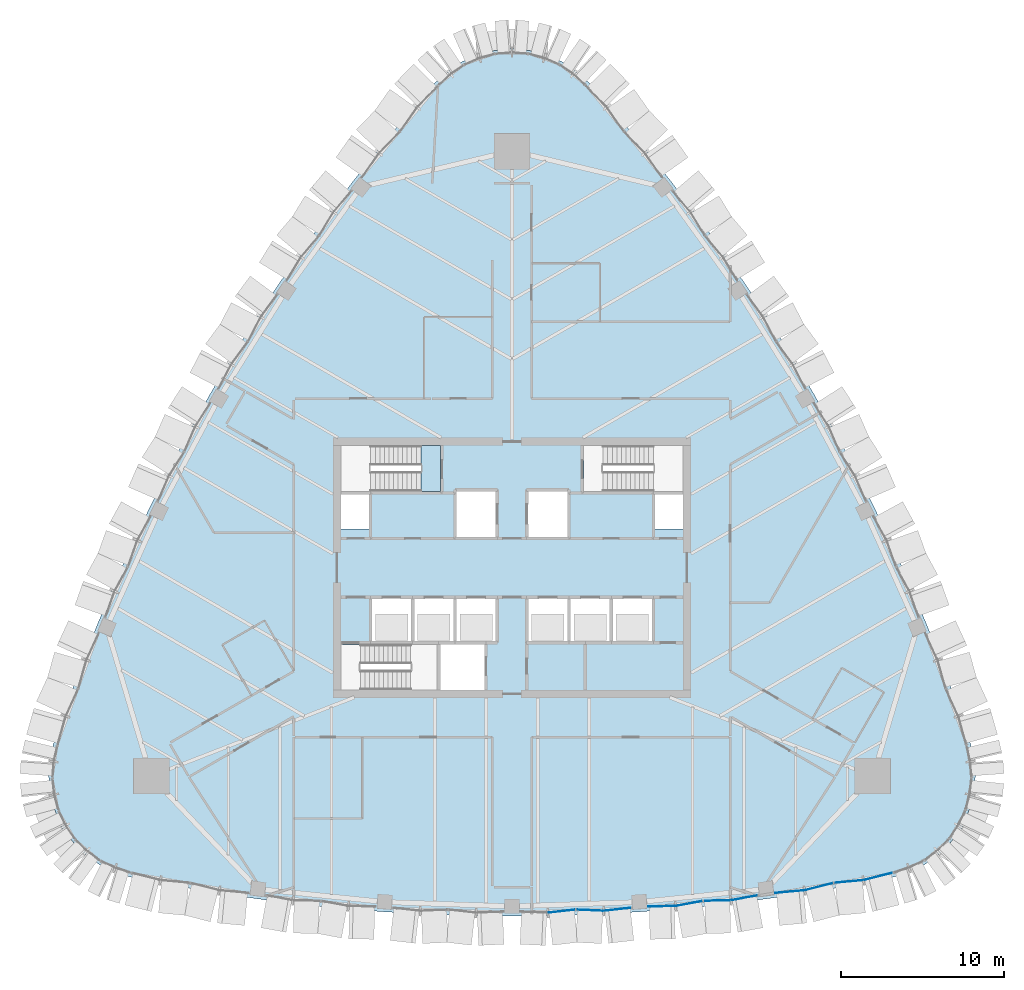
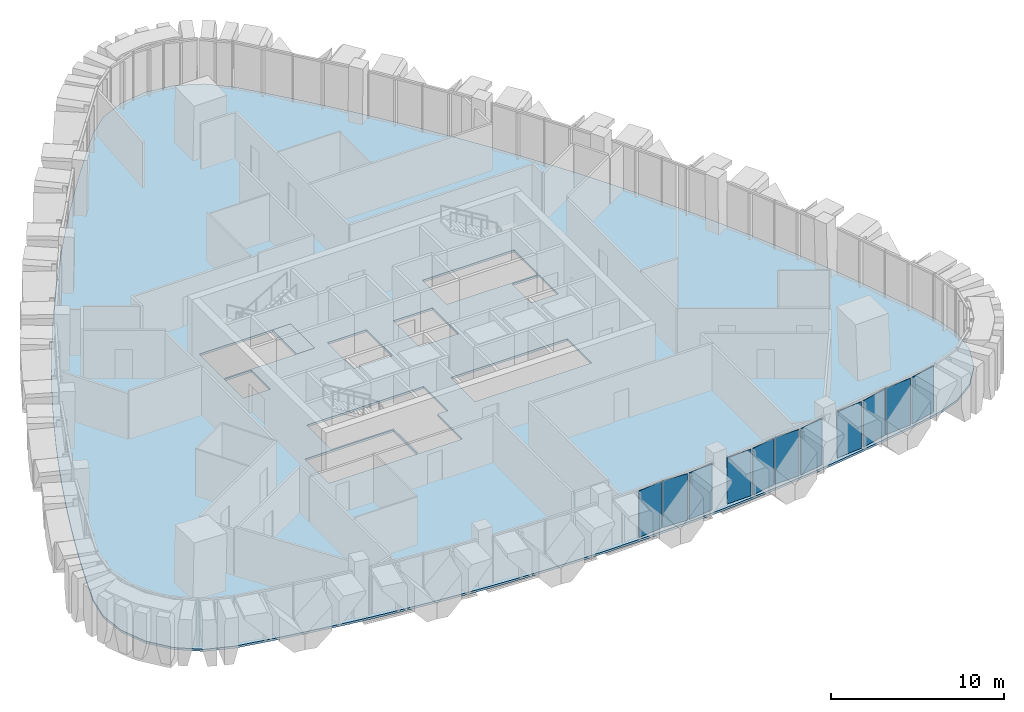
# One storey, part 9 of 19: 11 plates, 2 slabs, 3 elements without a shape of their own.
"""IFC4 building model written with IfcOpenShell, lengths in metres."""

from ifc_helpers import new_model, si_unit, direction, frame, origin, place, context, subcontext, project, spatial, polyline, outline, extrude, material, layer, layer_set, type_object, element, aggregate, save


model = new_model("IFC4")

# Units and contexts
model_context = context("Model", 3, precision=1e-05, world=origin(), true_north=direction((0.0, 1.0)))
body_context = subcontext(model_context, "Body", "Model", "MODEL_VIEW")
ifc_project = project(units=[si_unit("LENGTHUNIT", "METRE"), si_unit("AREAUNIT", "SQUARE_METRE"), si_unit("VOLUMEUNIT", "CUBIC_METRE"), si_unit("PLANEANGLEUNIT", "RADIAN"), si_unit("MASSUNIT", "GRAM", prefix="KILO")], contexts=[model_context])

# Site, building, storey
site_placement = place(None, origin())
site = spatial("IfcSite", under=ifc_project, at=site_placement, CompositionType="ELEMENT")
building_placement = place(site_placement, origin())
building = spatial("IfcBuilding", under=site, at=building_placement, Name="Sierra Prisma Convention Tower", CompositionType="ELEMENT")
storey_placement = place(building_placement, frame((0.0, 0.0, 235.0)))
storey = spatial("IfcBuildingStorey", under=building, at=storey_placement, Name="L52", CompositionType="ELEMENT", Elevation=235.0)

# Curtain wall, plates
ifc_material_1 = material(Name="Aluminium and glass curtain wall", Category="aluminium")
ifc_layer_1 = layer(ifc_material_1, 0.179931640625)
ifc_layer_set_1 = layer_set([ifc_layer_1], Name="CW-2 Faceted crystal curtain wall")
curtain_wall_type = type_object("IfcCurtainWallType", Name="CW-2 Faceted crystal curtain wall", PredefinedType="NOTDEFINED", material=ifc_layer_set_1)
curtain_wall_1_placement = place(storey_placement, origin())
curtain_wall_1 = element("IfcCurtainWall", 1, at=curtain_wall_1_placement, inside=storey, type_object=curtain_wall_type, Name="CW-2 S4 L52", PredefinedType="NOTDEFINED")
ifc_material_2 = material(Name="Tinted glass bronze-grey IGU", Category="glass")
ifc_layer_2 = layer(ifc_material_2, 0.028076171875)
ifc_layer_set_2 = layer_set([ifc_layer_2], Name="CW-2 crystal pane")
plate_type = type_object("IfcPlateType", Name="CW-2 crystal pane", PredefinedType="CURTAIN_PANEL", material=ifc_layer_set_2)
plate_1_placement = place(storey_placement, frame((3.88525390625, -21.0146484375, 0.0), z_axis=(0.112461006471, -0.993656138724, 0.0), x_axis=(-0.993656138724, -0.112461006471, 0.0)))
plate_1 = element("IfcPlate", 2, at=plate_1_placement, type_object=plate_type, Name="CW-2 pane S4.1.2", PredefinedType="CURTAIN_PANEL", context=body_context, shape_type="SweptSolid", body=[
    extrude(outline(polyline([(0.0, 0.0), (1.6238267220864326, 0.0), (1.6238267220864326, -3.280029296875), (0.0, -3.280029296875), (0.0, 0.0)])), origin(), (0.0, 0.0, -1.0), 0.028076171875),
])
plate_2_placement = place(storey_placement, frame((3.955322265625, -21.01220703125, 0.0), z_axis=(-0.044500642482, -0.999009355721, 0.0), x_axis=(0.999009355721, -0.044500642482, 0.0)))
plate_2 = element("IfcPlate", 3, at=plate_2_placement, type_object=plate_type, Name="CW-2 pane S4.2.1", PredefinedType="CURTAIN_PANEL", context=body_context, shape_type="SweptSolid", body=[
    extrude(outline(polyline([(0.0, 0.0), (1.6239231833356247, 0.0), (1.6239231833356247, 3.280029296875), (0.0, 3.280029296875), (0.0, 0.0)])), origin(), (0.0, 0.0, -1.0), 0.028076171875),
])
plate_3_placement = place(storey_placement, frame((7.32080078125, -20.8974609375, 0.0), z_axis=(0.112461006471, -0.993656138724, 0.0), x_axis=(-0.993656138724, -0.112461006471, 0.0)))
plate_3 = element("IfcPlate", 4, at=plate_3_placement, type_object=plate_type, Name="CW-2 pane S4.2.2", PredefinedType="CURTAIN_PANEL", context=body_context, shape_type="SweptSolid", body=[
    extrude(outline(polyline([(0.0, 0.0), (1.6238267220864326, 0.0), (1.6238267220864326, -3.280029296875), (0.0, -3.280029296875), (0.0, 0.0)])), origin(), (0.0, 0.0, -1.0), 0.028076171875),
])
aggregate(curtain_wall_1, [plate_1, plate_2, plate_3])

curtain_wall_2_placement = place(storey_placement, origin())
curtain_wall_2 = element("IfcCurtainWall", 5, at=curtain_wall_2_placement, inside=storey, type_object=curtain_wall_type, Name="CW-2 S5 L52", PredefinedType="NOTDEFINED")
plate_4_placement = place(storey_placement, frame((8.3701171875, -20.826171875, 0.0), z_axis=(0.023720088611, -0.999718639116, 0.0), x_axis=(0.999718639116, 0.023720088611, 0.0)))
plate_4 = element("IfcPlate", 6, at=plate_4_placement, type_object=plate_type, Name="CW-2 pane S5.1.1", PredefinedType="CURTAIN_PANEL", context=body_context, shape_type="SweptSolid", body=[
    extrude(outline(polyline([(0.0, 0.0), (1.6159331760116264, 0.0), (1.6159331760116264, 3.280029296875), (0.0, 3.280029296875), (0.0, 0.0)])), origin(), (0.0, 0.0, -1.0), 0.028076171875),
])
plate_5_placement = place(storey_placement, frame((11.704345703125, -20.48388671875, 0.0), z_axis=(0.179935640699, -0.983678385046, 0.0), x_axis=(-0.983678385046, -0.179935640699, 0.0)))
plate_5 = element("IfcPlate", 7, at=plate_5_placement, type_object=plate_type, Name="CW-2 pane S5.1.2", PredefinedType="CURTAIN_PANEL", context=body_context, shape_type="SweptSolid", body=[
    extrude(outline(polyline([(0.0, 0.0), (1.6159749299573907, 0.0), (1.6159749299573907, -3.280029296875), (0.0, -3.280029296875), (0.0, 0.0)])), origin(), (0.0, 0.0, -1.0), 0.028076171875),
])
plate_6_placement = place(storey_placement, frame((11.77392578125, -20.476806640625, 0.0), z_axis=(0.023720088611, -0.999718639116, 0.0), x_axis=(0.999718639116, 0.023720088611, 0.0)))
plate_6 = element("IfcPlate", 8, at=plate_6_placement, type_object=plate_type, Name="CW-2 pane S5.2.1", PredefinedType="CURTAIN_PANEL", context=body_context, shape_type="SweptSolid", body=[
    extrude(outline(polyline([(0.0, 0.0), (1.6159331760116264, 0.0), (1.6159331760116264, 3.280029296875), (0.0, 3.280029296875), (0.0, 0.0)])), origin(), (0.0, 0.0, -1.0), 0.028076171875),
])
plate_7_placement = place(storey_placement, frame((15.108154296875, -20.134521484375, 0.0), z_axis=(0.179908903722, -0.98368327543, 0.0), x_axis=(-0.98368327543, -0.179908903722, 0.0)))
plate_7 = element("IfcPlate", 9, at=plate_7_placement, type_object=plate_type, Name="CW-2 pane S5.2.2", PredefinedType="CURTAIN_PANEL", context=body_context, shape_type="SweptSolid", body=[
    extrude(outline(polyline([(0.0, 0.0), (1.61621508641013, 0.0), (1.61621508641013, -3.280029296875), (0.0, -3.280029296875), (0.0, 0.0)])), origin(), (0.0, 0.0, -1.0), 0.028076171875),
])
aggregate(curtain_wall_2, [plate_4, plate_5, plate_6, plate_7])

curtain_wall_3_placement = place(storey_placement, origin())
curtain_wall_3 = element("IfcCurtainWall", 10, at=curtain_wall_3_placement, inside=storey, type_object=curtain_wall_type, Name="CW-2 S6 L52", PredefinedType="NOTDEFINED")
plate_8_placement = place(storey_placement, frame((16.181640625, -19.98876953125, 0.0), z_axis=(0.091762815784, -0.995780892385, 0.0), x_axis=(0.995780892385, 0.091762815784, 0.0)))
plate_8 = element("IfcPlate", 11, at=plate_8_placement, type_object=plate_type, Name="CW-2 pane S6.1.1", PredefinedType="CURTAIN_PANEL", context=body_context, shape_type="SweptSolid", body=[
    extrude(outline(polyline([(0.0, 0.0), (1.740007293647519, 0.0), (1.740007293647519, 3.280029296875), (0.0, 3.280029296875), (0.0, 0.0)])), origin(), (0.0, 0.0, -1.0), 0.028076171875),
])
plate_9_placement = place(storey_placement, frame((19.728271484375, -19.378173828125, 0.0), z_axis=(0.246528336512, -0.969135583547, 0.0), x_axis=(-0.969135583547, -0.246528336512, 0.0)))
plate_9 = element("IfcPlate", 12, at=plate_9_placement, type_object=plate_type, Name="CW-2 pane S6.1.2", PredefinedType="CURTAIN_PANEL", context=body_context, shape_type="SweptSolid", body=[
    extrude(outline(polyline([(0.0, 0.0), (1.7399828522483975, 0.0), (1.7399828522483975, -3.280029296875), (0.0, -3.280029296875), (0.0, 0.0)])), origin(), (0.0, 0.0, -1.0), 0.028076171875),
])
plate_10_placement = place(storey_placement, frame((19.797119140625, -19.3662109375, 0.0), z_axis=(0.091762815784, -0.995780892385, 0.0), x_axis=(0.995780892385, 0.091762815784, 0.0)))
plate_10 = element("IfcPlate", 13, at=plate_10_placement, type_object=plate_type, Name="CW-2 pane S6.2.1", PredefinedType="CURTAIN_PANEL", context=body_context, shape_type="SweptSolid", body=[
    extrude(outline(polyline([(0.0, 0.0), (1.740007293647519, 0.0), (1.740007293647519, 3.280029296875), (0.0, 3.280029296875), (0.0, 0.0)])), origin(), (0.0, 0.0, -1.0), 0.028076171875),
])
plate_11_placement = place(storey_placement, frame((23.34375, -18.755859375, 0.0), z_axis=(0.246396545227, -0.969169099023, 0.0), x_axis=(-0.969169099023, -0.246396545227, 0.0)))
plate_11 = element("IfcPlate", 14, at=plate_11_placement, type_object=plate_type, Name="CW-2 pane S6.2.2", PredefinedType="CURTAIN_PANEL", context=body_context, shape_type="SweptSolid", body=[
    extrude(outline(polyline([(0.0, 0.0), (1.7399226807537667, 0.0), (1.7399226807537667, -3.280029296875001), (0.0, -3.280029296875001), (0.0, 0.0)])), origin(), (0.0, 0.0, -1.0), 0.028076171875),
])
aggregate(curtain_wall_3, [plate_8, plate_9, plate_10, plate_11])

# Slabs
ifc_material_3 = material(Name="Concrete C35/45", Category="concrete")
ifc_layer_3 = layer(ifc_material_3, 0.14990234375)
ifc_layer_set_3 = layer_set([ifc_layer_3], Name="Composite floor slab 150")
slab_type_1 = type_object("IfcSlabType", Name="Composite floor slab 150", PredefinedType="FLOOR", material=ifc_layer_set_3)
slab_1_placement = place(storey_placement, frame((0.0, 0.0, -0.14990234375)))
element("IfcSlab", 15, at=slab_1_placement, inside=storey, type_object=slab_type_1, Name="Floor slab L52 floor", PredefinedType="FLOOR", context=body_context, shape_type="SweptSolid", body=[
    extrude(outline(polyline([(-23.463623046875, -18.98876953125), (-21.5322265625, -19.372314453125), (-19.5947265625, -19.722900390625), (-17.651611328125, -20.040283203125), (-15.703125, -20.32470703125), (-13.750244140625, -20.57568359375), (-11.79345703125, -20.79345703125), (-9.8330078125, -20.977783203125), (-7.869873046875, -21.128662109375), (-5.904541015625, -21.24609375), (-3.937255859375, -21.330078125), (-1.968994140625, -21.38037109375), (0.0, -21.397216796875), (1.968994140625, -21.38037109375), (3.937255859375, -21.330078125), (5.904541015625, -21.24609375), (7.869873046875, -21.128662109375), (9.8330078125, -20.977783203125), (11.79345703125, -20.79345703125), (13.750244140625, -20.57568359375), (15.703125, -20.32470703125), (17.651611328125, -20.040283203125), (19.5947265625, -19.722900390625), (21.5322265625, -19.372314453125), (23.463623046875, -18.98876953125), (25.127197265625, -18.390869140625), (26.559814453125, -17.355224609375), (27.649169921875, -15.963134765625), (28.31005859375, -14.32373046875), (28.490478515625, -12.565185546875), (28.176513671875, -10.82568359375), (27.54296875, -8.96142578125), (26.8779296875, -7.108154296875), (26.18115234375, -5.2666015625), (25.453369140625, -3.43701171875), (24.6943359375, -1.620361328125), (23.904296875, 0.183349609375), (23.083740234375, 1.97314453125), (22.23291015625, 3.748779296875), (21.351806640625, 5.509765625), (20.44091796875, 7.25537109375), (19.50048828125, 8.985107421875), (18.530517578125, 10.698486328125), (17.531494140625, 12.395263671875), (16.503662109375, 14.07470703125), (15.447509765625, 15.736328125), (14.363037109375, 17.3798828125), (13.250732421875, 19.004638671875), (12.11083984375, 20.610107421875), (10.94384765625, 22.196044921875), (9.75, 23.76171875), (8.529541015625, 25.306884765625), (7.283203125, 26.8310546875), (6.0107421875, 28.333740234375), (4.712890625, 29.814453125), (3.363525390625, 30.9560546875), (1.750244140625, 31.678955078125), (0.0, 31.926513671875), (-1.750244140625, 31.678955078125), (-3.363525390625, 30.9560546875), (-4.712890625, 29.814453125), (-6.0107421875, 28.333740234375), (-7.283203125, 26.8310546875), (-8.529541015625, 25.306884765625), (-9.75, 23.76171875), (-10.94384765625, 22.196044921875), (-12.11083984375, 20.610107421875), (-13.250732421875, 19.004638671875), (-14.363037109375, 17.3798828125), (-15.447509765625, 15.736328125), (-16.503662109375, 14.07470703125), (-17.531494140625, 12.395263671875), (-18.530517578125, 10.698486328125), (-19.50048828125, 8.985107421875), (-20.44091796875, 7.25537109375), (-21.351806640625, 5.509765625), (-22.23291015625, 3.748779296875), (-23.083740234375, 1.97314453125), (-23.904296875, 0.183349609375), (-24.6943359375, -1.620361328125), (-25.453369140625, -3.43701171875), (-26.18115234375, -5.2666015625), (-26.8779296875, -7.108154296875), (-27.54296875, -8.96142578125), (-28.176513671875, -10.82568359375), (-28.490478515625, -12.565185546875), (-28.31005859375, -14.32373046875), (-27.649169921875, -15.963134765625), (-26.559814453125, -17.355224609375), (-25.127197265625, -18.390869140625), (-23.463623046875, -18.98876953125)]), holes=[polyline([(-4.60009765625, -4.699951171875), (-4.60009765625, -7.5), (-10.5, -7.5), (-10.5, -4.699951171875), (-4.60009765625, -4.699951171875)]), polyline([(-4.5, -7.5), (-4.5, -4.60009765625), (-6.10009765625, -4.60009765625), (-8.699951171875, -4.60009765625), (-8.699951171875, -1.800048828125), (-6.10009765625, -1.800048828125), (-3.5, -1.800048828125), (-0.89990234375, -1.800048828125), (-0.89990234375, -4.60009765625), (-1.60009765625, -4.60009765625), (-1.60009765625, -7.5), (-4.5, -7.5)]), polyline([(-8.699951171875, 2.39990234375), (-10.5, 2.39990234375), (-10.5, 4.60009765625), (-8.699951171875, 4.60009765625), (-8.699951171875, 2.39990234375)]), polyline([(-4.39990234375, 4.699951171875), (-10.5, 4.699951171875), (-10.5, 7.5), (-4.39990234375, 7.5), (-4.39990234375, 4.699951171875)]), polyline([(3.5, -1.800048828125), (6.10009765625, -1.800048828125), (8.699951171875, -1.800048828125), (8.699951171875, -4.60009765625), (6.10009765625, -4.60009765625), (3.5, -4.60009765625), (0.89990234375, -4.60009765625), (0.89990234375, -1.800048828125), (3.5, -1.800048828125)]), polyline([(-0.89990234375, 1.800048828125), (-3.5, 1.800048828125), (-3.5, 4.800048828125), (-0.89990234375, 4.800048828125), (-0.89990234375, 1.800048828125)]), polyline([(3.5, 1.800048828125), (0.89990234375, 1.800048828125), (0.89990234375, 4.800048828125), (3.5, 4.800048828125), (3.5, 1.800048828125)]), polyline([(10.5, 2.39990234375), (8.699951171875, 2.39990234375), (8.699951171875, 4.60009765625), (10.5, 4.60009765625), (10.5, 2.39990234375)]), polyline([(10.5, 4.699951171875), (4.39990234375, 4.699951171875), (4.39990234375, 7.5), (10.5, 7.5), (10.5, 4.699951171875)])]), origin(), (0.0, 0.0, 1.0), 0.14990234375),
])
ifc_material_4 = material(Name="Concrete C35/45", Category="concrete")
ifc_layer_4 = layer(ifc_material_4, 0.199951171875)
ifc_layer_set_4 = layer_set([ifc_layer_4], Name="Stair landing slab")
slab_type_2 = type_object("IfcSlabType", Name="Stair landing slab", PredefinedType="LANDING", material=ifc_layer_set_4)
slab_2_placement = place(storey_placement, frame((0.0, 0.0, -0.199951171875)))
element("IfcSlab", 16, at=slab_2_placement, inside=storey, type_object=slab_type_2, Name="S3 floor landing L52", PredefinedType="LANDING", context=body_context, shape_type="SweptSolid", body=[
    extrude(outline(polyline([(-4.39990234375, 7.5), (-5.60205078125, 7.5), (-5.60205078125, 4.699951171875), (-4.39990234375, 4.699951171875), (-4.39990234375, 7.5)])), origin(), (0.0, 0.0, 1.0), 0.199951171875),
])

save(model, "model.ifc")
